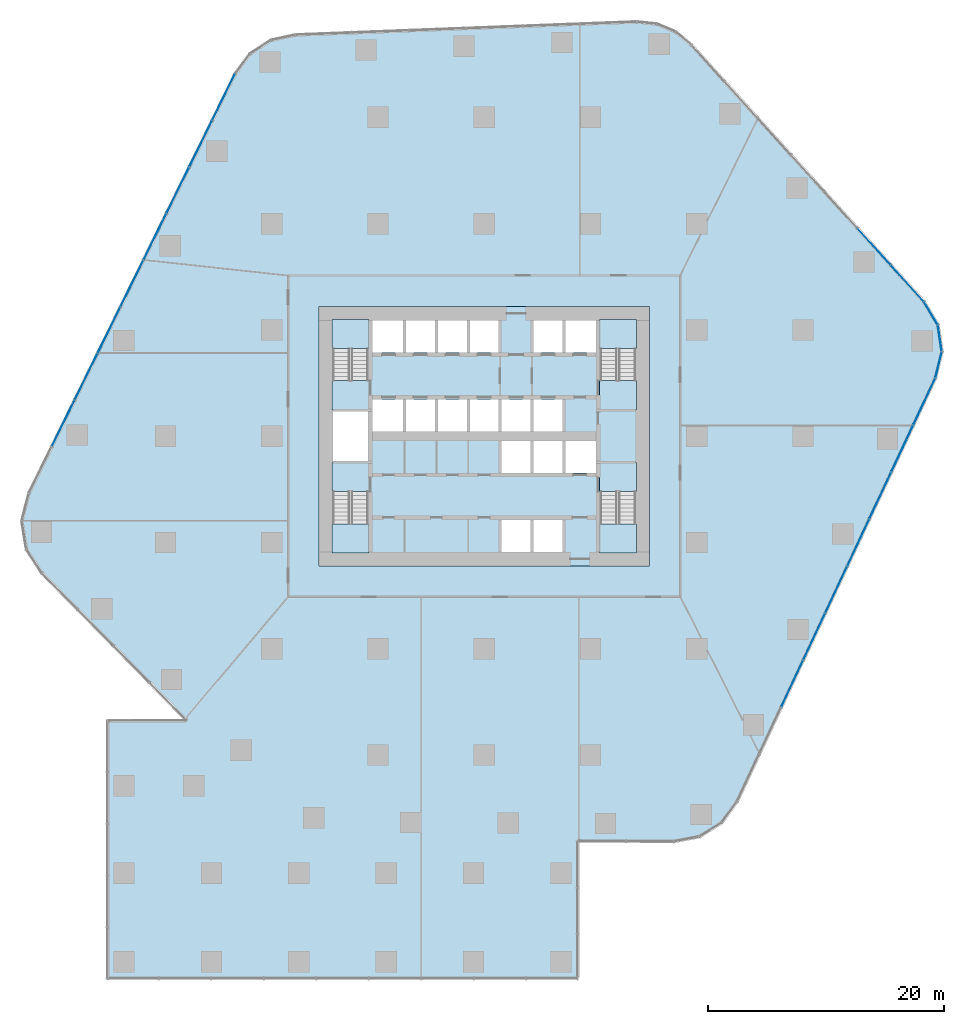
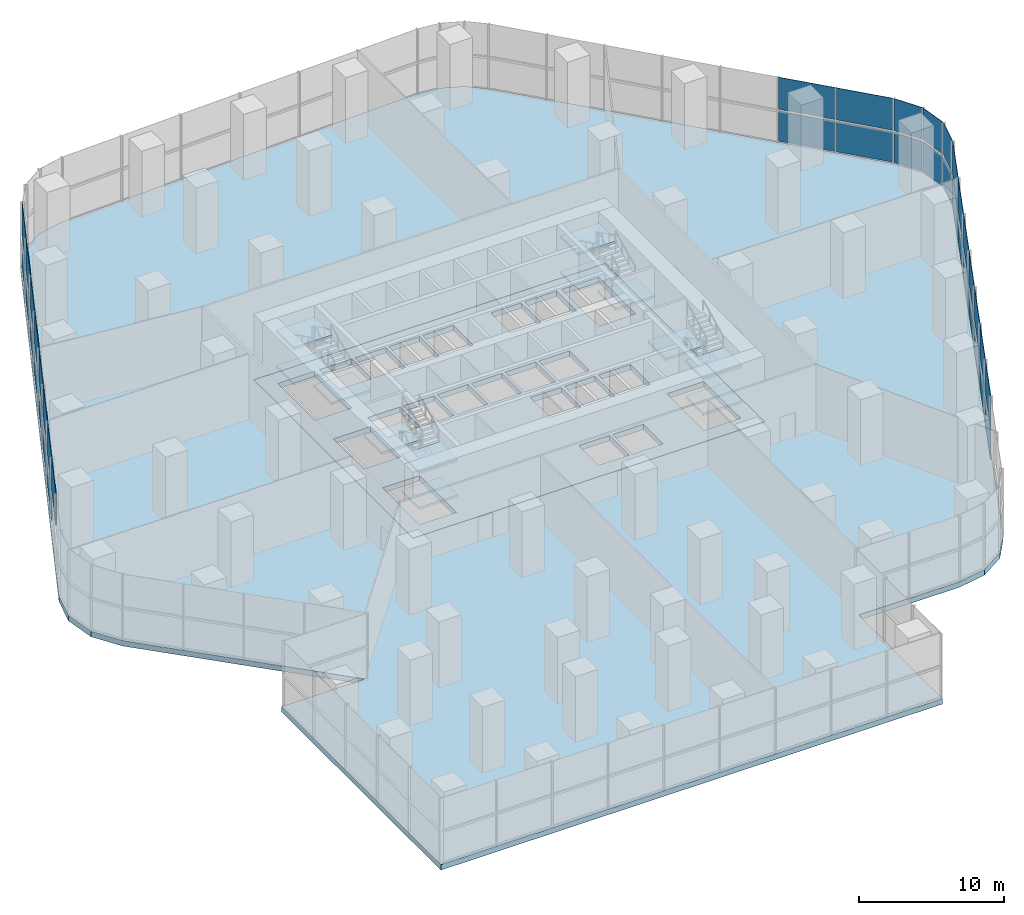
# One storey, part 9 of 15: 39 plates, 14 slabs, 8 elements without a shape of their own.
"""IFC4 building model written with IfcOpenShell, lengths in metres."""

from ifc_helpers import new_model, si_unit, direction, frame, origin, origin_2d, place, context, subcontext, project, spatial, polyline, rectangle, outline, extrude, material, layer, layer_set, type_object, element, aggregate, save


model = new_model("IFC4")

# Units and contexts
model_context = context("Model", 3, precision=1e-05, world=origin(), true_north=direction((0.0, 1.0)))
body_context = subcontext(model_context, "Body", "Model", "MODEL_VIEW")
ifc_project = project(units=[si_unit("LENGTHUNIT", "METRE"), si_unit("AREAUNIT", "SQUARE_METRE"), si_unit("VOLUMEUNIT", "CUBIC_METRE"), si_unit("PLANEANGLEUNIT", "RADIAN"), si_unit("MASSUNIT", "GRAM", prefix="KILO")], contexts=[model_context])

# Site, building, storey
site_placement = place(None, origin())
site = spatial("IfcSite", under=ifc_project, at=site_placement, CompositionType="ELEMENT")
building_placement = place(site_placement, origin())
building = spatial("IfcBuilding", under=site, at=building_placement, Name="Dongbaek Canopy Tower", CompositionType="ELEMENT")
storey_placement = place(building_placement, frame((0.0, 0.0, 27.0)))
storey = spatial("IfcBuildingStorey", under=building, at=storey_placement, Name="L03", CompositionType="ELEMENT", Elevation=27.0)

# Curtain wall, plates
ifc_material_1 = material(Name="Aluminium 6063-T6 pale anodised", Category="aluminium")
ifc_layer_1 = layer(ifc_material_1, 0.300048828125)
ifc_layer_set_1 = layer_set([ifc_layer_1], Name="CW-2 podium hall curtain wall")
curtain_wall_type = type_object("IfcCurtainWallType", Name="CW-2 podium hall curtain wall", PredefinedType="NOTDEFINED", material=ifc_layer_set_1)
curtain_wall_1_placement = place(storey_placement, origin())
curtain_wall_1 = element("IfcCurtainWall", 1, at=curtain_wall_1_placement, inside=storey, type_object=curtain_wall_type, Name="CW-2 curtain wall F0.1", PredefinedType="NOTDEFINED")
ifc_material_2 = material(Name="Clear laminated glass", Category="glass")
ifc_layer_2 = layer(ifc_material_2, 0.035888671875)
ifc_layer_set_2 = layer_set([ifc_layer_2], Name="CW-2 glazed panel 36")
plate_type = type_object("IfcPlateType", Name="CW-2 glazed panel 36", PredefinedType="CURTAIN_PANEL", material=ifc_layer_set_2)
plate_1_placement = place(storey_placement, frame((26.078857421875, -20.961181640625, 0.16015625), z_axis=(0.0, 0.0, 1.0), x_axis=(0.424122871275, 0.905604654395, 0.0)))
plate_1 = element("IfcPlate", 2, at=plate_1_placement, type_object=plate_type, Name="CW-2 panel F0.1.3.1", PredefinedType="CURTAIN_PANEL", context=body_context, shape_type="SweptSolid", body=[
    extrude(rectangle(XDim=4.2939453125, YDim=0.035888671875, at=origin_2d()), origin(), (0.0, 0.0, 1.0), 2.534912109375),
])
plate_2_placement = place(storey_placement, frame((26.078857421875, -20.961181640625, 2.85498046875), z_axis=(0.0, 0.0, 1.0), x_axis=(0.424122871275, 0.905604654395, 0.0)))
plate_2 = element("IfcPlate", 3, at=plate_2_placement, type_object=plate_type, Name="CW-2 panel F0.1.3.2", PredefinedType="CURTAIN_PANEL", context=body_context, shape_type="SweptSolid", body=[
    extrude(rectangle(XDim=4.2939453125, YDim=0.035888671875, at=origin_2d()), origin(), (0.0, 0.0, 1.0), 2.695068359375),
])
plate_3_placement = place(storey_placement, frame((27.9443359375, -16.978271484375, 0.16015625), z_axis=(0.0, 0.0, 1.0), x_axis=(0.424122871275, 0.905604654395, 0.0)))
plate_3 = element("IfcPlate", 4, at=plate_3_placement, type_object=plate_type, Name="CW-2 panel F0.1.4.1", PredefinedType="CURTAIN_PANEL", context=body_context, shape_type="SweptSolid", body=[
    extrude(rectangle(XDim=4.2939453125, YDim=0.035888671875, at=origin_2d()), origin(), (0.0, 0.0, 1.0), 2.534912109375),
])
plate_4_placement = place(storey_placement, frame((27.9443359375, -16.978271484375, 2.85498046875), z_axis=(0.0, 0.0, 1.0), x_axis=(0.424122871275, 0.905604654395, 0.0)))
plate_4 = element("IfcPlate", 5, at=plate_4_placement, type_object=plate_type, Name="CW-2 panel F0.1.4.2", PredefinedType="CURTAIN_PANEL", context=body_context, shape_type="SweptSolid", body=[
    extrude(rectangle(XDim=4.2939453125, YDim=0.035888671875, at=origin_2d()), origin(), (0.0, 0.0, 1.0), 2.695068359375),
])
plate_5_placement = place(storey_placement, frame((29.8095703125, -12.995361328125, 0.16015625), z_axis=(0.0, 0.0, 1.0), x_axis=(0.424122871275, 0.905604654395, 0.0)))
plate_5 = element("IfcPlate", 6, at=plate_5_placement, type_object=plate_type, Name="CW-2 panel F0.1.5.1", PredefinedType="CURTAIN_PANEL", context=body_context, shape_type="SweptSolid", body=[
    extrude(rectangle(XDim=4.2939453125, YDim=0.035888671875, at=origin_2d()), origin(), (0.0, 0.0, 1.0), 2.534912109375),
])
plate_6_placement = place(storey_placement, frame((29.8095703125, -12.995361328125, 2.85498046875), z_axis=(0.0, 0.0, 1.0), x_axis=(0.424122871275, 0.905604654395, 0.0)))
plate_6 = element("IfcPlate", 7, at=plate_6_placement, type_object=plate_type, Name="CW-2 panel F0.1.5.2", PredefinedType="CURTAIN_PANEL", context=body_context, shape_type="SweptSolid", body=[
    extrude(rectangle(XDim=4.2939453125, YDim=0.035888671875, at=origin_2d()), origin(), (0.0, 0.0, 1.0), 2.695068359375),
])
plate_7_placement = place(storey_placement, frame((31.6748046875, -9.012451171875, 0.16015625), z_axis=(0.0, 0.0, 1.0), x_axis=(0.424122871275, 0.905604654395, 0.0)))
plate_7 = element("IfcPlate", 8, at=plate_7_placement, type_object=plate_type, Name="CW-2 panel F0.1.6.1", PredefinedType="CURTAIN_PANEL", context=body_context, shape_type="SweptSolid", body=[
    extrude(rectangle(XDim=4.2939453125, YDim=0.035888671875, at=origin_2d()), origin(), (0.0, 0.0, 1.0), 2.534912109375),
])
plate_8_placement = place(storey_placement, frame((31.6748046875, -9.012451171875, 2.85498046875), z_axis=(0.0, 0.0, 1.0), x_axis=(0.424122871275, 0.905604654395, 0.0)))
plate_8 = element("IfcPlate", 9, at=plate_8_placement, type_object=plate_type, Name="CW-2 panel F0.1.6.2", PredefinedType="CURTAIN_PANEL", context=body_context, shape_type="SweptSolid", body=[
    extrude(rectangle(XDim=4.2939453125, YDim=0.035888671875, at=origin_2d()), origin(), (0.0, 0.0, 1.0), 2.695068359375),
])
plate_9_placement = place(storey_placement, frame((33.540283203125, -5.029541015625, 0.16015625), z_axis=(0.0, 0.0, 1.0), x_axis=(0.424122871275, 0.905604654395, 0.0)))
plate_9 = element("IfcPlate", 10, at=plate_9_placement, type_object=plate_type, Name="CW-2 panel F0.1.7.1", PredefinedType="CURTAIN_PANEL", context=body_context, shape_type="SweptSolid", body=[
    extrude(rectangle(XDim=4.2939453125, YDim=0.035888671875, at=origin_2d()), origin(), (0.0, 0.0, 1.0), 2.534912109375),
])
plate_10_placement = place(storey_placement, frame((33.540283203125, -5.029541015625, 2.85498046875), z_axis=(0.0, 0.0, 1.0), x_axis=(0.424122871275, 0.905604654395, 0.0)))
plate_10 = element("IfcPlate", 11, at=plate_10_placement, type_object=plate_type, Name="CW-2 panel F0.1.7.2", PredefinedType="CURTAIN_PANEL", context=body_context, shape_type="SweptSolid", body=[
    extrude(rectangle(XDim=4.2939453125, YDim=0.035888671875, at=origin_2d()), origin(), (0.0, 0.0, 1.0), 2.695068359375),
])
plate_11_placement = place(storey_placement, frame((35.405517578125, -1.046630859375, 0.16015625), z_axis=(0.0, 0.0, 1.0), x_axis=(0.424122871275, 0.905604654395, 0.0)))
plate_11 = element("IfcPlate", 12, at=plate_11_placement, type_object=plate_type, Name="CW-2 panel F0.1.8.1", PredefinedType="CURTAIN_PANEL", context=body_context, shape_type="SweptSolid", body=[
    extrude(rectangle(XDim=4.2939453125, YDim=0.035888671875, at=origin_2d()), origin(), (0.0, 0.0, 1.0), 2.534912109375),
])
plate_12_placement = place(storey_placement, frame((35.405517578125, -1.046630859375, 2.85498046875), z_axis=(0.0, 0.0, 1.0), x_axis=(0.424122871275, 0.905604654395, 0.0)))
plate_12 = element("IfcPlate", 13, at=plate_12_placement, type_object=plate_type, Name="CW-2 panel F0.1.8.2", PredefinedType="CURTAIN_PANEL", context=body_context, shape_type="SweptSolid", body=[
    extrude(rectangle(XDim=4.2939453125, YDim=0.035888671875, at=origin_2d()), origin(), (0.0, 0.0, 1.0), 2.695068359375),
])
plate_13_placement = place(storey_placement, frame((37.268798828125, 2.931884765625, 0.16015625), z_axis=(0.0, 0.0, 1.0), x_axis=(0.424122871275, 0.905604654395, 0.0)))
plate_13 = element("IfcPlate", 14, at=plate_13_placement, type_object=plate_type, Name="CW-2 panel F0.1.9.1", PredefinedType="CURTAIN_PANEL", context=body_context, shape_type="SweptSolid", body=[
    extrude(rectangle(XDim=4.2841796875, YDim=0.035888671875, at=origin_2d()), origin(), (0.0, 0.0, 1.0), 2.534912109375),
])
plate_14_placement = place(storey_placement, frame((37.268798828125, 2.931884765625, 2.85498046875), z_axis=(0.0, 0.0, 1.0), x_axis=(0.424122871275, 0.905604654395, 0.0)))
plate_14 = element("IfcPlate", 15, at=plate_14_placement, type_object=plate_type, Name="CW-2 panel F0.1.9.2", PredefinedType="CURTAIN_PANEL", context=body_context, shape_type="SweptSolid", body=[
    extrude(rectangle(XDim=4.2841796875, YDim=0.035888671875, at=origin_2d()), origin(), (0.0, 0.0, 1.0), 2.695068359375),
])
aggregate(curtain_wall_1, [plate_1, plate_2, plate_3, plate_4, plate_5, plate_6, plate_7, plate_8, plate_9, plate_10, plate_11, plate_12, plate_13, plate_14])

curtain_wall_2_placement = place(storey_placement, origin())
curtain_wall_2 = element("IfcCurtainWall", 16, at=curtain_wall_2_placement, inside=storey, type_object=curtain_wall_type, Name="CW-2 curtain wall K1.1", PredefinedType="NOTDEFINED")
plate_15_placement = place(storey_placement, frame((38.4755859375, 6.036865234375, 0.16015625), z_axis=(0.0, 0.0, 1.0), x_axis=(0.239977748291, 0.970778388884, 0.0)))
plate_15 = element("IfcPlate", 17, at=plate_15_placement, type_object=plate_type, Name="CW-2 panel K1.1.1.1", PredefinedType="CURTAIN_PANEL", context=body_context, shape_type="SweptSolid", body=[
    extrude(rectangle(XDim=2.19921875, YDim=0.035888671875, at=origin_2d()), origin(), (0.0, 0.0, 1.0), 2.534912109375),
])
plate_16_placement = place(storey_placement, frame((38.4755859375, 6.036865234375, 2.85498046875), z_axis=(0.0, 0.0, 1.0), x_axis=(0.239977748291, 0.970778388884, 0.0)))
plate_16 = element("IfcPlate", 18, at=plate_16_placement, type_object=plate_type, Name="CW-2 panel K1.1.1.2", PredefinedType="CURTAIN_PANEL", context=body_context, shape_type="SweptSolid", body=[
    extrude(rectangle(XDim=2.19921875, YDim=0.035888671875, at=origin_2d()), origin(), (0.0, 0.0, 1.0), 2.695068359375),
])
plate_17_placement = place(storey_placement, frame((38.581787109375, 8.28857421875, 0.16015625), z_axis=(0.0, 0.0, 1.0), x_axis=(-0.148406459989, 0.988926449557, 0.0)))
plate_17 = element("IfcPlate", 19, at=plate_17_placement, type_object=plate_type, Name="CW-2 panel K1.1.2.1", PredefinedType="CURTAIN_PANEL", context=body_context, shape_type="SweptSolid", body=[
    extrude(rectangle(XDim=2.189208984375, YDim=0.035888671875, at=origin_2d()), origin(), (0.0, 0.0, 1.0), 2.534912109375),
])
plate_18_placement = place(storey_placement, frame((38.581787109375, 8.28857421875, 2.85498046875), z_axis=(0.0, 0.0, 1.0), x_axis=(-0.148406459989, 0.988926449557, 0.0)))
plate_18 = element("IfcPlate", 20, at=plate_18_placement, type_object=plate_type, Name="CW-2 panel K1.1.2.2", PredefinedType="CURTAIN_PANEL", context=body_context, shape_type="SweptSolid", body=[
    extrude(rectangle(XDim=2.189208984375, YDim=0.035888671875, at=origin_2d()), origin(), (0.0, 0.0, 1.0), 2.695068359375),
])
plate_19_placement = place(storey_placement, frame((37.8193359375, 10.41015625, 0.16015625), z_axis=(0.0, 0.0, 1.0), x_axis=(-0.514356497159, 0.857576465297, 0.0)))
plate_19 = element("IfcPlate", 21, at=plate_19_placement, type_object=plate_type, Name="CW-2 panel K1.1.3.1", PredefinedType="CURTAIN_PANEL", context=body_context, shape_type="SweptSolid", body=[
    extrude(rectangle(XDim=2.19921875, YDim=0.035888671875, at=origin_2d()), origin(), (0.0, 0.0, 1.0), 2.534912109375),
])
plate_20_placement = place(storey_placement, frame((37.8193359375, 10.41015625, 2.85498046875), z_axis=(0.0, 0.0, 1.0), x_axis=(-0.514356497159, 0.857576465297, 0.0)))
plate_20 = element("IfcPlate", 22, at=plate_20_placement, type_object=plate_type, Name="CW-2 panel K1.1.3.2", PredefinedType="CURTAIN_PANEL", context=body_context, shape_type="SweptSolid", body=[
    extrude(rectangle(XDim=2.19921875, YDim=0.035888671875, at=origin_2d()), origin(), (0.0, 0.0, 1.0), 2.695068359375),
])
aggregate(curtain_wall_2, [plate_15, plate_16, plate_17, plate_18, plate_19, plate_20])

curtain_wall_3_placement = place(storey_placement, origin())
curtain_wall_3 = element("IfcCurtainWall", 23, at=curtain_wall_3_placement, inside=storey, type_object=curtain_wall_type, Name="CW-2 curtain wall F1.1", PredefinedType="NOTDEFINED")
plate_21_placement = place(storey_placement, frame((35.822265625, 12.94873046875, 0.16015625), z_axis=(0.0, 0.0, 1.0), x_axis=(-0.671259708345, 0.741222236547, 0.0)))
plate_21 = element("IfcPlate", 24, at=plate_21_placement, type_object=plate_type, Name="CW-2 panel F1.1.1.1", PredefinedType="CURTAIN_PANEL", context=body_context, shape_type="SweptSolid", body=[
    extrude(rectangle(XDim=4.081298828125, YDim=0.035888671875, at=origin_2d()), origin(), (0.0, 0.0, 1.0), 2.534912109375),
])
plate_22_placement = place(storey_placement, frame((35.822265625, 12.94873046875, 2.85498046875), z_axis=(0.0, 0.0, 1.0), x_axis=(-0.671259708345, 0.741222236547, 0.0)))
plate_22 = element("IfcPlate", 25, at=plate_22_placement, type_object=plate_type, Name="CW-2 panel F1.1.1.2", PredefinedType="CURTAIN_PANEL", context=body_context, shape_type="SweptSolid", body=[
    extrude(rectangle(XDim=4.081298828125, YDim=0.035888671875, at=origin_2d()), origin(), (0.0, 0.0, 1.0), 2.695068359375),
])
plate_23_placement = place(storey_placement, frame((33.009521484375, 16.0546875, 0.16015625), z_axis=(0.0, 0.0, 1.0), x_axis=(-0.671259708345, 0.741222236547, 0.0)))
plate_23 = element("IfcPlate", 26, at=plate_23_placement, type_object=plate_type, Name="CW-2 panel F1.1.2.1", PredefinedType="CURTAIN_PANEL", context=body_context, shape_type="SweptSolid", body=[
    extrude(rectangle(XDim=4.091064453125, YDim=0.035888671875, at=origin_2d()), origin(), (0.0, 0.0, 1.0), 2.534912109375),
])
plate_24_placement = place(storey_placement, frame((33.009521484375, 16.0546875, 2.85498046875), z_axis=(0.0, 0.0, 1.0), x_axis=(-0.671259708345, 0.741222236547, 0.0)))
plate_24 = element("IfcPlate", 27, at=plate_24_placement, type_object=plate_type, Name="CW-2 panel F1.1.2.2", PredefinedType="CURTAIN_PANEL", context=body_context, shape_type="SweptSolid", body=[
    extrude(rectangle(XDim=4.091064453125, YDim=0.035888671875, at=origin_2d()), origin(), (0.0, 0.0, 1.0), 2.695068359375),
])
aggregate(curtain_wall_3, [plate_21, plate_22, plate_23, plate_24])

curtain_wall_4_placement = place(storey_placement, origin())
curtain_wall_4 = element("IfcCurtainWall", 28, at=curtain_wall_4_placement, inside=storey, type_object=curtain_wall_type, Name="CW-2 curtain wall F3.1", PredefinedType="NOTDEFINED")
plate_25_placement = place(storey_placement, frame((-22.062255859375, 28.71533203125, 0.16015625), z_axis=(0.0, 0.0, 1.0), x_axis=(-0.441341613378, -0.897339166815, 0.0)))
plate_25 = element("IfcPlate", 29, at=plate_25_placement, type_object=plate_type, Name="CW-2 panel F3.1.1.1", PredefinedType="CURTAIN_PANEL", context=body_context, shape_type="SweptSolid", body=[
    extrude(rectangle(XDim=4.286376953125, YDim=0.035888671875, at=origin_2d()), origin(), (0.0, 0.0, 1.0), 2.534912109375),
])
plate_26_placement = place(storey_placement, frame((-22.062255859375, 28.71533203125, 2.85498046875), z_axis=(0.0, 0.0, 1.0), x_axis=(-0.441341613378, -0.897339166815, 0.0)))
plate_26 = element("IfcPlate", 30, at=plate_26_placement, type_object=plate_type, Name="CW-2 panel F3.1.1.2", PredefinedType="CURTAIN_PANEL", context=body_context, shape_type="SweptSolid", body=[
    extrude(rectangle(XDim=4.286376953125, YDim=0.035888671875, at=origin_2d()), origin(), (0.0, 0.0, 1.0), 2.695068359375),
])
plate_27_placement = place(storey_placement, frame((-24.001953125, 24.771484375, 0.16015625), z_axis=(0.0, 0.0, 1.0), x_axis=(-0.441341613378, -0.897339166815, 0.0)))
plate_27 = element("IfcPlate", 31, at=plate_27_placement, type_object=plate_type, Name="CW-2 panel F3.1.2.1", PredefinedType="CURTAIN_PANEL", context=body_context, shape_type="SweptSolid", body=[
    extrude(rectangle(XDim=4.29541015625, YDim=0.035888671875, at=origin_2d()), origin(), (0.0, 0.0, 1.0), 2.534912109375),
])
plate_28_placement = place(storey_placement, frame((-24.001953125, 24.771484375, 2.85498046875), z_axis=(0.0, 0.0, 1.0), x_axis=(-0.441341613378, -0.897339166815, 0.0)))
plate_28 = element("IfcPlate", 32, at=plate_28_placement, type_object=plate_type, Name="CW-2 panel F3.1.2.2", PredefinedType="CURTAIN_PANEL", context=body_context, shape_type="SweptSolid", body=[
    extrude(rectangle(XDim=4.29541015625, YDim=0.035888671875, at=origin_2d()), origin(), (0.0, 0.0, 1.0), 2.695068359375),
])
plate_29_placement = place(storey_placement, frame((-25.943603515625, 20.82373046875, 0.16015625), z_axis=(0.0, 0.0, 1.0), x_axis=(-0.441341613378, -0.897339166815, 0.0)))
plate_29 = element("IfcPlate", 33, at=plate_29_placement, type_object=plate_type, Name="CW-2 panel F3.1.3.1", PredefinedType="CURTAIN_PANEL", context=body_context, shape_type="SweptSolid", body=[
    extrude(rectangle(XDim=4.29541015625, YDim=0.035888671875, at=origin_2d()), origin(), (0.0, 0.0, 1.0), 2.534912109375),
])
plate_30_placement = place(storey_placement, frame((-25.943603515625, 20.82373046875, 2.85498046875), z_axis=(0.0, 0.0, 1.0), x_axis=(-0.441341613378, -0.897339166815, 0.0)))
plate_30 = element("IfcPlate", 34, at=plate_30_placement, type_object=plate_type, Name="CW-2 panel F3.1.3.2", PredefinedType="CURTAIN_PANEL", context=body_context, shape_type="SweptSolid", body=[
    extrude(rectangle(XDim=4.29541015625, YDim=0.035888671875, at=origin_2d()), origin(), (0.0, 0.0, 1.0), 2.695068359375),
])
plate_31_placement = place(storey_placement, frame((-27.88525390625, 16.8759765625, 0.16015625), z_axis=(0.0, 0.0, 1.0), x_axis=(-0.441341613378, -0.897339166815, 0.0)))
plate_31 = element("IfcPlate", 35, at=plate_31_placement, type_object=plate_type, Name="CW-2 panel F3.1.4.1", PredefinedType="CURTAIN_PANEL", context=body_context, shape_type="SweptSolid", body=[
    extrude(rectangle(XDim=4.29541015625, YDim=0.035888671875, at=origin_2d()), origin(), (0.0, 0.0, 1.0), 2.534912109375),
])
plate_32_placement = place(storey_placement, frame((-27.88525390625, 16.8759765625, 2.85498046875), z_axis=(0.0, 0.0, 1.0), x_axis=(-0.441341613378, -0.897339166815, 0.0)))
plate_32 = element("IfcPlate", 36, at=plate_32_placement, type_object=plate_type, Name="CW-2 panel F3.1.4.2", PredefinedType="CURTAIN_PANEL", context=body_context, shape_type="SweptSolid", body=[
    extrude(rectangle(XDim=4.29541015625, YDim=0.035888671875, at=origin_2d()), origin(), (0.0, 0.0, 1.0), 2.695068359375),
])
plate_33_placement = place(storey_placement, frame((-29.826904296875, 12.92822265625, 0.16015625), z_axis=(0.0, 0.0, 1.0), x_axis=(-0.441341613378, -0.897339166815, 0.0)))
plate_33 = element("IfcPlate", 37, at=plate_33_placement, type_object=plate_type, Name="CW-2 panel F3.1.5.1", PredefinedType="CURTAIN_PANEL", context=body_context, shape_type="SweptSolid", body=[
    extrude(rectangle(XDim=4.29541015625, YDim=0.035888671875, at=origin_2d()), origin(), (0.0, 0.0, 1.0), 2.534912109375),
])
plate_34_placement = place(storey_placement, frame((-29.826904296875, 12.92822265625, 2.85498046875), z_axis=(0.0, 0.0, 1.0), x_axis=(-0.441341613378, -0.897339166815, 0.0)))
plate_34 = element("IfcPlate", 38, at=plate_34_placement, type_object=plate_type, Name="CW-2 panel F3.1.5.2", PredefinedType="CURTAIN_PANEL", context=body_context, shape_type="SweptSolid", body=[
    extrude(rectangle(XDim=4.29541015625, YDim=0.035888671875, at=origin_2d()), origin(), (0.0, 0.0, 1.0), 2.695068359375),
])
plate_35_placement = place(storey_placement, frame((-31.7685546875, 8.98046875, 0.16015625), z_axis=(0.0, 0.0, 1.0), x_axis=(-0.441341613378, -0.897339166815, 0.0)))
plate_35 = element("IfcPlate", 39, at=plate_35_placement, type_object=plate_type, Name="CW-2 panel F3.1.6.1", PredefinedType="CURTAIN_PANEL", context=body_context, shape_type="SweptSolid", body=[
    extrude(rectangle(XDim=4.29541015625, YDim=0.035888671875, at=origin_2d()), origin(), (0.0, 0.0, 1.0), 2.534912109375),
])
plate_36_placement = place(storey_placement, frame((-31.7685546875, 8.98046875, 2.85498046875), z_axis=(0.0, 0.0, 1.0), x_axis=(-0.441341613378, -0.897339166815, 0.0)))
plate_36 = element("IfcPlate", 40, at=plate_36_placement, type_object=plate_type, Name="CW-2 panel F3.1.6.2", PredefinedType="CURTAIN_PANEL", context=body_context, shape_type="SweptSolid", body=[
    extrude(rectangle(XDim=4.29541015625, YDim=0.035888671875, at=origin_2d()), origin(), (0.0, 0.0, 1.0), 2.695068359375),
])
plate_37_placement = place(storey_placement, frame((-33.710205078125, 5.032470703125, 0.16015625), z_axis=(0.0, 0.0, 1.0), x_axis=(-0.441341613378, -0.897339166815, 0.0)))
plate_37 = element("IfcPlate", 41, at=plate_37_placement, type_object=plate_type, Name="CW-2 panel F3.1.7.1", PredefinedType="CURTAIN_PANEL", context=body_context, shape_type="SweptSolid", body=[
    extrude(rectangle(XDim=4.29541015625, YDim=0.035888671875, at=origin_2d()), origin(), (0.0, 0.0, 1.0), 2.534912109375),
])
plate_38_placement = place(storey_placement, frame((-33.710205078125, 5.032470703125, 2.85498046875), z_axis=(0.0, 0.0, 1.0), x_axis=(-0.441341613378, -0.897339166815, 0.0)))
plate_38 = element("IfcPlate", 42, at=plate_38_placement, type_object=plate_type, Name="CW-2 panel F3.1.7.2", PredefinedType="CURTAIN_PANEL", context=body_context, shape_type="SweptSolid", body=[
    extrude(rectangle(XDim=4.29541015625, YDim=0.035888671875, at=origin_2d()), origin(), (0.0, 0.0, 1.0), 2.695068359375),
])
plate_39_placement = place(storey_placement, frame((-35.65185546875, 1.084716796875, 2.85498046875), z_axis=(0.0, 0.0, 1.0), x_axis=(-0.441341613378, -0.897339166815, 0.0)))
plate_39 = element("IfcPlate", 43, at=plate_39_placement, type_object=plate_type, Name="CW-2 panel F3.1.8.2", PredefinedType="CURTAIN_PANEL", context=body_context, shape_type="SweptSolid", body=[
    extrude(rectangle(XDim=4.29541015625, YDim=0.035888671875, at=origin_2d()), origin(), (0.0, 0.0, 1.0), 2.695068359375),
])
aggregate(curtain_wall_4, [plate_25, plate_26, plate_27, plate_28, plate_29, plate_30, plate_31, plate_32, plate_33, plate_34, plate_35, plate_36, plate_37, plate_38, plate_39])

# Slab
ifc_material_3 = material(Name="Concrete C40/50", Category="concrete")
ifc_layer_3 = layer(ifc_material_3, 0.449951171875)
ifc_layer_set_3 = layer_set([ifc_layer_3], Name="Core floor slab 450 Concrete C40/50")
slab_type_1 = type_object("IfcSlabType", Name="Core floor slab 450 Concrete C40/50", PredefinedType="FLOOR", material=ifc_layer_set_3)
slab_1_placement = place(storey_placement, frame((0.0, 0.0, -0.449951171875)))
element("IfcSlab", 44, at=slab_1_placement, inside=storey, type_object=slab_type_1, Name="Core floor slab L03", PredefinedType="FLOOR", context=body_context, shape_type="SweptSolid", body=[
    extrude(outline(polyline([(14.0, -11.0), (14.0, 11.0), (-14.0, 11.0), (-14.0, -11.0), (14.0, -11.0)]), holes=[polyline([(-12.800048828125, 2.10009765625), (-9.85009765625, 2.10009765625), (-9.85009765625, -2.10009765625), (-12.800048828125, -2.10009765625), (-12.800048828125, 2.10009765625)]), polyline([(-6.875, 9.800048828125), (-6.875, 7.074951171875), (-9.449951171875, 7.074951171875), (-9.449951171875, 9.800048828125), (-6.875, 9.800048828125)]), polyline([(-4.175048828125, 9.800048828125), (-4.175048828125, 7.074951171875), (-6.625, 7.074951171875), (-6.625, 9.800048828125), (-4.175048828125, 9.800048828125)]), polyline([(-1.47509765625, 9.800048828125), (-1.47509765625, 7.074951171875), (-3.925048828125, 7.074951171875), (-3.925048828125, 9.800048828125), (-1.47509765625, 9.800048828125)]), polyline([(1.22509765625, 9.800048828125), (1.22509765625, 7.074951171875), (-1.22509765625, 7.074951171875), (-1.22509765625, 9.800048828125), (1.22509765625, 9.800048828125)]), polyline([(6.625, 9.800048828125), (6.625, 7.074951171875), (4.175048828125, 7.074951171875), (4.175048828125, 9.800048828125), (6.625, 9.800048828125)]), polyline([(9.449951171875, 7.074951171875), (6.875, 7.074951171875), (6.875, 9.800048828125), (9.449951171875, 9.800048828125), (9.449951171875, 7.074951171875)]), polyline([(-9.449951171875, 3.125), (-6.875, 3.125), (-6.875, 0.39990234375), (-9.449951171875, 0.39990234375), (-9.449951171875, 3.125)]), polyline([(-6.625, 3.125), (-4.175048828125, 3.125), (-4.175048828125, 0.39990234375), (-6.625, 0.39990234375), (-6.625, 3.125)]), polyline([(-3.925048828125, 3.125), (-1.47509765625, 3.125), (-1.47509765625, 0.39990234375), (-3.925048828125, 0.39990234375), (-3.925048828125, 3.125)]), polyline([(-1.22509765625, 3.125), (1.22509765625, 3.125), (1.22509765625, 0.39990234375), (-1.22509765625, 0.39990234375), (-1.22509765625, 3.125)]), polyline([(1.47509765625, 3.125), (3.925048828125, 3.125), (3.925048828125, 0.39990234375), (1.47509765625, 0.39990234375), (1.47509765625, 3.125)]), polyline([(4.175048828125, 3.125), (6.625, 3.125), (6.625, 0.39990234375), (4.175048828125, 0.39990234375), (4.175048828125, 3.125)]), polyline([(1.47509765625, -0.39990234375), (3.925048828125, -0.39990234375), (3.925048828125, -3.125), (1.47509765625, -3.125), (1.47509765625, -0.39990234375)]), polyline([(4.175048828125, -3.125), (4.175048828125, -0.39990234375), (6.625, -0.39990234375), (6.625, -3.125), (4.175048828125, -3.125)]), polyline([(9.449951171875, -3.125), (6.875, -3.125), (6.875, -0.39990234375), (9.449951171875, -0.39990234375), (9.449951171875, -3.125)]), polyline([(1.47509765625, -9.800048828125), (1.47509765625, -7.074951171875), (3.925048828125, -7.074951171875), (3.925048828125, -9.800048828125), (1.47509765625, -9.800048828125)]), polyline([(4.175048828125, -9.800048828125), (4.175048828125, -7.074951171875), (6.625, -7.074951171875), (6.625, -9.800048828125), (4.175048828125, -9.800048828125)]), polyline([(12.800048828125, 4.70068359375), (12.800048828125, 9.800048828125), (9.85009765625, 9.800048828125), (9.85009765625, 4.70068359375), (12.800048828125, 4.70068359375)]), polyline([(-9.85009765625, 4.70068359375), (-9.85009765625, 9.800048828125), (-12.800048828125, 9.800048828125), (-12.800048828125, 4.70068359375), (-9.85009765625, 4.70068359375)]), polyline([(9.85009765625, -4.70068359375), (9.85009765625, -9.800048828125), (12.800048828125, -9.800048828125), (12.800048828125, -4.70068359375), (9.85009765625, -4.70068359375)]), polyline([(-12.800048828125, -4.70068359375), (-12.800048828125, -9.800048828125), (-9.85009765625, -9.800048828125), (-9.85009765625, -4.70068359375), (-12.800048828125, -4.70068359375)])]), origin(), (0.0, 0.0, 1.0), 0.449951171875),
])

# Stair, slabs
ifc_material_4 = material(Name="Concrete C40/50", Category="concrete")
stair_type = type_object("IfcStairType", Name="Core exit stair", PredefinedType="HALF_TURN_STAIR", material=ifc_material_4)
stair_1_placement = place(storey_placement, origin())
stair_1 = element("IfcStair", 45, at=stair_1_placement, inside=storey, type_object=stair_type, Name="L03 exit stair A", PredefinedType="HALF_TURN_STAIR")
ifc_material_5 = material(Name="Concrete C40/50", Category="concrete")
ifc_layer_4 = layer(ifc_material_5, 0.199951171875)
ifc_layer_set_4 = layer_set([ifc_layer_4], Name="Core stair landing 200")
slab_type_2 = type_object("IfcSlabType", Name="Core stair landing 200", PredefinedType="LANDING", material=ifc_layer_set_4)
slab_2_placement = place(storey_placement, frame((0.0, 0.0, 1.300048828125)))
slab_2 = element("IfcSlab", 46, at=slab_2_placement, type_object=slab_type_2, Name="ST-A landing 1", PredefinedType="LANDING", context=body_context, shape_type="SweptSolid", body=[
    extrude(outline(polyline([(12.875, 7.419921875), (12.875, 9.875), (9.77490234375, 9.875), (9.77490234375, 7.419921875), (12.875, 7.419921875)])), origin(), (0.0, 0.0, 1.0), 0.199951171875),
])
slab_3_placement = place(storey_placement, frame((0.0, 0.0, 2.800048828125)))
slab_3 = element("IfcSlab", 47, at=slab_3_placement, type_object=slab_type_2, Name="ST-A landing 2", PredefinedType="LANDING", context=body_context, shape_type="SweptSolid", body=[
    extrude(outline(polyline([(12.875, 2.22509765625), (12.875, 4.699951171875), (9.77490234375, 4.699951171875), (9.77490234375, 2.22509765625), (12.875, 2.22509765625)])), origin(), (0.0, 0.0, 1.0), 0.199951171875),
])
slab_4_placement = place(storey_placement, frame((0.0, 0.0, 4.300048828125)))
slab_4 = element("IfcSlab", 48, at=slab_4_placement, type_object=slab_type_2, Name="ST-A landing 3", PredefinedType="LANDING", context=body_context, shape_type="SweptSolid", body=[
    extrude(outline(polyline([(12.875, 7.419921875), (12.875, 9.875), (9.77490234375, 9.875), (9.77490234375, 7.419921875), (12.875, 7.419921875)])), origin(), (0.0, 0.0, 1.0), 0.199951171875),
])
aggregate(stair_1, [slab_2, slab_3, slab_4])

stair_2_placement = place(storey_placement, origin())
stair_2 = element("IfcStair", 49, at=stair_2_placement, inside=storey, type_object=stair_type, Name="L03 exit stair C", PredefinedType="HALF_TURN_STAIR")
slab_5_placement = place(storey_placement, frame((0.0, 0.0, 1.300048828125)))
slab_5 = element("IfcSlab", 50, at=slab_5_placement, type_object=slab_type_2, Name="ST-C landing 1", PredefinedType="LANDING", context=body_context, shape_type="SweptSolid", body=[
    extrude(outline(polyline([(-9.77490234375, 7.419921875), (-9.77490234375, 9.875), (-12.875, 9.875), (-12.875, 7.419921875), (-9.77490234375, 7.419921875)])), origin(), (0.0, 0.0, 1.0), 0.199951171875),
])
slab_6_placement = place(storey_placement, frame((0.0, 0.0, 2.800048828125)))
slab_6 = element("IfcSlab", 51, at=slab_6_placement, type_object=slab_type_2, Name="ST-C landing 2", PredefinedType="LANDING", context=body_context, shape_type="SweptSolid", body=[
    extrude(outline(polyline([(-9.77490234375, 2.22509765625), (-9.77490234375, 4.699951171875), (-12.875, 4.699951171875), (-12.875, 2.22509765625), (-9.77490234375, 2.22509765625)])), origin(), (0.0, 0.0, 1.0), 0.199951171875),
])
slab_7_placement = place(storey_placement, frame((0.0, 0.0, 4.300048828125)))
slab_7 = element("IfcSlab", 52, at=slab_7_placement, type_object=slab_type_2, Name="ST-C landing 3", PredefinedType="LANDING", context=body_context, shape_type="SweptSolid", body=[
    extrude(outline(polyline([(-9.77490234375, 7.419921875), (-9.77490234375, 9.875), (-12.875, 9.875), (-12.875, 7.419921875), (-9.77490234375, 7.419921875)])), origin(), (0.0, 0.0, 1.0), 0.199951171875),
])
aggregate(stair_2, [slab_5, slab_6, slab_7])

stair_3_placement = place(storey_placement, origin())
stair_3 = element("IfcStair", 53, at=stair_3_placement, inside=storey, type_object=stair_type, Name="L03 exit stair B", PredefinedType="HALF_TURN_STAIR")
slab_8_placement = place(storey_placement, frame((0.0, 0.0, 1.300048828125)))
slab_8 = element("IfcSlab", 54, at=slab_8_placement, type_object=slab_type_2, Name="ST-B landing 1", PredefinedType="LANDING", context=body_context, shape_type="SweptSolid", body=[
    extrude(outline(polyline([(9.77490234375, -7.419921875), (9.77490234375, -9.875), (12.875, -9.875), (12.875, -7.419921875), (9.77490234375, -7.419921875)])), origin(), (0.0, 0.0, 1.0), 0.199951171875),
])
slab_9_placement = place(storey_placement, frame((0.0, 0.0, 2.800048828125)))
slab_9 = element("IfcSlab", 55, at=slab_9_placement, type_object=slab_type_2, Name="ST-B landing 2", PredefinedType="LANDING", context=body_context, shape_type="SweptSolid", body=[
    extrude(outline(polyline([(9.77490234375, -2.22509765625), (9.77490234375, -4.699951171875), (12.875, -4.699951171875), (12.875, -2.22509765625), (9.77490234375, -2.22509765625)])), origin(), (0.0, 0.0, 1.0), 0.199951171875),
])
slab_10_placement = place(storey_placement, frame((0.0, 0.0, 4.300048828125)))
slab_10 = element("IfcSlab", 56, at=slab_10_placement, type_object=slab_type_2, Name="ST-B landing 3", PredefinedType="LANDING", context=body_context, shape_type="SweptSolid", body=[
    extrude(outline(polyline([(9.77490234375, -7.419921875), (9.77490234375, -9.875), (12.875, -9.875), (12.875, -7.419921875), (9.77490234375, -7.419921875)])), origin(), (0.0, 0.0, 1.0), 0.199951171875),
])
aggregate(stair_3, [slab_8, slab_9, slab_10])

stair_4_placement = place(storey_placement, origin())
stair_4 = element("IfcStair", 57, at=stair_4_placement, inside=storey, type_object=stair_type, Name="L03 exit stair D", PredefinedType="HALF_TURN_STAIR")
slab_11_placement = place(storey_placement, frame((0.0, 0.0, 1.300048828125)))
slab_11 = element("IfcSlab", 58, at=slab_11_placement, type_object=slab_type_2, Name="ST-D landing 1", PredefinedType="LANDING", context=body_context, shape_type="SweptSolid", body=[
    extrude(outline(polyline([(-12.875, -7.419921875), (-12.875, -9.875), (-9.77490234375, -9.875), (-9.77490234375, -7.419921875), (-12.875, -7.419921875)])), origin(), (0.0, 0.0, 1.0), 0.199951171875),
])
slab_12_placement = place(storey_placement, frame((0.0, 0.0, 2.800048828125)))
slab_12 = element("IfcSlab", 59, at=slab_12_placement, type_object=slab_type_2, Name="ST-D landing 2", PredefinedType="LANDING", context=body_context, shape_type="SweptSolid", body=[
    extrude(outline(polyline([(-12.875, -2.22509765625), (-12.875, -4.699951171875), (-9.77490234375, -4.699951171875), (-9.77490234375, -2.22509765625), (-12.875, -2.22509765625)])), origin(), (0.0, 0.0, 1.0), 0.199951171875),
])
slab_13_placement = place(storey_placement, frame((0.0, 0.0, 4.300048828125)))
slab_13 = element("IfcSlab", 60, at=slab_13_placement, type_object=slab_type_2, Name="ST-D landing 3", PredefinedType="LANDING", context=body_context, shape_type="SweptSolid", body=[
    extrude(outline(polyline([(-12.875, -7.419921875), (-12.875, -9.875), (-9.77490234375, -9.875), (-9.77490234375, -7.419921875), (-12.875, -7.419921875)])), origin(), (0.0, 0.0, 1.0), 0.199951171875),
])
aggregate(stair_4, [slab_11, slab_12, slab_13])

# Slab
ifc_material_6 = material(Name="Concrete C40", Category="concrete")
ifc_layer_5 = layer(ifc_material_6, 0.449951171875)
ifc_layer_set_5 = layer_set([ifc_layer_5], Name="RC FLAT PLATE 450 Concrete C40")
slab_type_3 = type_object("IfcSlabType", Name="RC FLAT PLATE 450 Concrete C40", PredefinedType="FLOOR", material=ifc_layer_set_5)
slab_14_placement = place(storey_placement, frame((0.0, 0.0, -0.449951171875)))
element("IfcSlab", 61, at=slab_14_placement, inside=storey, type_object=slab_type_3, Name="SLAB:L03", PredefinedType="FLOOR", context=body_context, shape_type="SweptSolid", body=[
    extrude(outline(polyline([(8.0, -46.0), (-32.0, -46.0), (-32.0, -24.0), (-25.382080078125, -24.0), (-37.544921875, -11.651123046875), (-38.872314453125, -9.589111328125), (-39.263916015625, -7.168212890625), (-38.654052734375, -4.792724609375), (-21.17919921875, 30.7373046875), (-19.90771484375, 32.4580078125), (-18.113525390625, 33.623291015625), (-16.0244140625, 34.0849609375), (12.918701171875, 35.1923828125), (14.64892578125, 35.006103515625), (16.252685546875, 34.3310546875), (17.595458984375, 33.224365234375), (37.307861328125, 11.45751953125), (38.5078125, 9.45703125), (38.85400390625, 7.14990234375), (38.2939453125, 4.88525390625), (21.506103515625, -30.960693359375), (20.1787109375, -32.791015625), (18.26806640625, -34.0), (16.0458984375, -34.416015625), (8.0, -34.380126953125), (8.0, -46.0)]), holes=[polyline([(14.0, 11.0), (-14.0, 11.0), (-14.0, -11.0), (14.0, -11.0), (14.0, 11.0)])]), origin(), (0.0, 0.0, 1.0), 0.449951171875),
])

save(model, "model.ifc")
